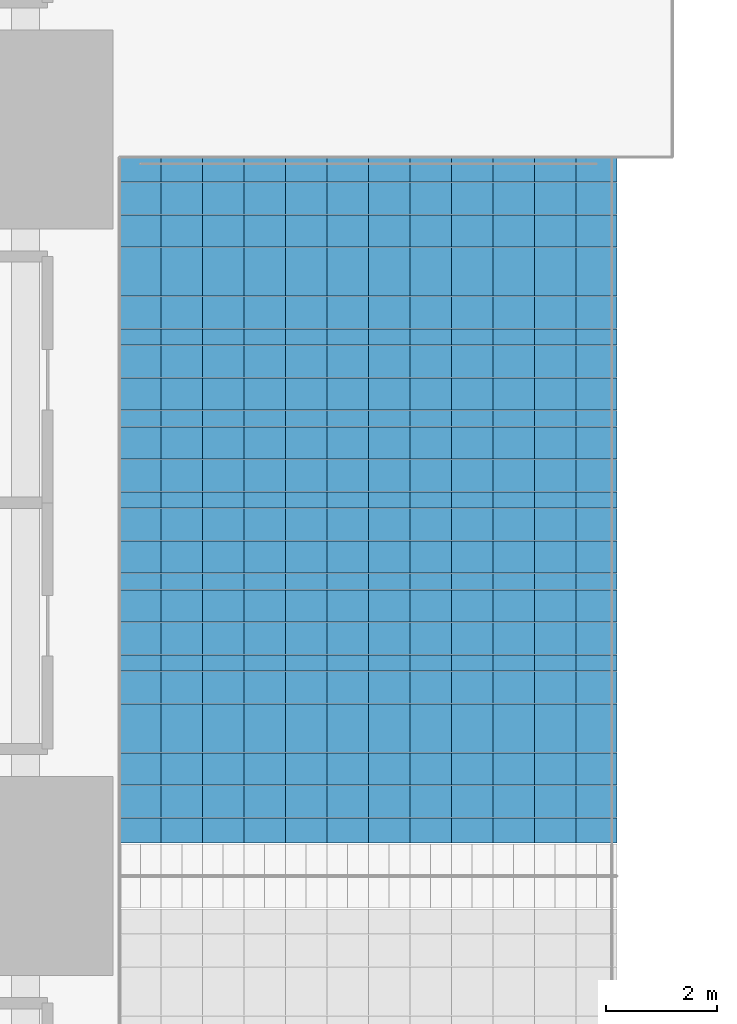
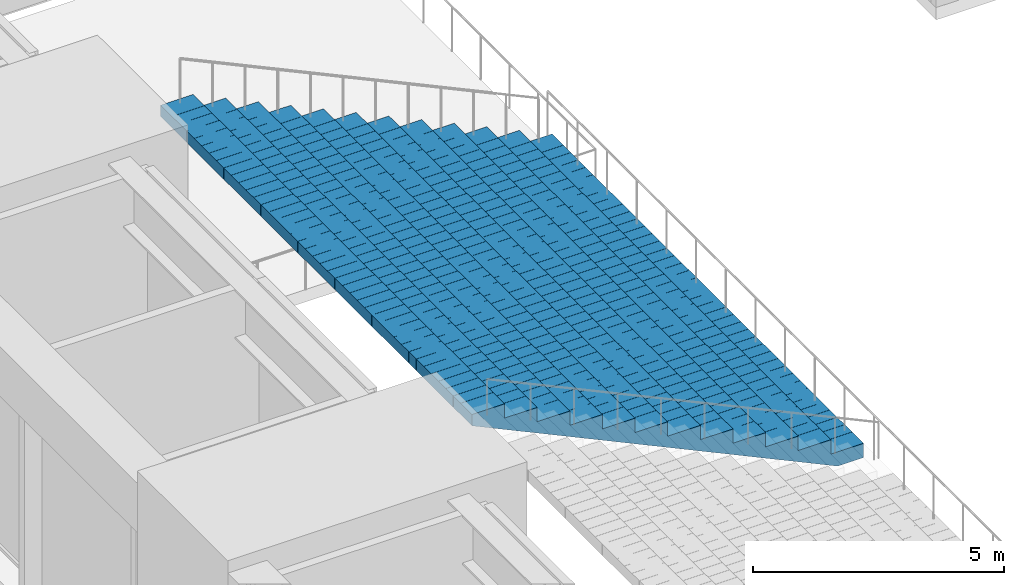
# One storey, part 19 of 61: 1 slab.
"""IFC4 building model written with IfcOpenShell, lengths in metres."""

from ifc_helpers import new_model, si_unit, direction, frame, origin, place, context, subcontext, project, spatial, polyline, outline, extrude, material, layer, layer_set, type_object, element, save


model = new_model("IFC4")

# Units and contexts
model_context = context("Model", 3, precision=1e-05, world=origin(), true_north=direction((0.0, 1.0)))
body_context = subcontext(model_context, "Body", "Model", "MODEL_VIEW")
ifc_project = project(units=[si_unit("LENGTHUNIT", "METRE"), si_unit("AREAUNIT", "SQUARE_METRE"), si_unit("VOLUMEUNIT", "CUBIC_METRE"), si_unit("PLANEANGLEUNIT", "RADIAN"), si_unit("MASSUNIT", "GRAM", prefix="KILO")], contexts=[model_context])

# Site, building, storey
site_placement = place(None, origin())
site = spatial("IfcSite", under=ifc_project, at=site_placement, CompositionType="ELEMENT")
building_placement = place(site_placement, origin())
building = spatial("IfcBuilding", under=site, at=building_placement, Name="Corbelhall Arena Tower", CompositionType="ELEMENT")
storey_placement = place(building_placement, frame((0.0, 0.0, 31.0)))
storey = spatial("IfcBuildingStorey", under=building, at=storey_placement, Name="L04", CompositionType="ELEMENT", Elevation=31.0)

# Slab
ifc_material = material(Name="Precast concrete C40/50", Category="concrete")
ifc_layer = layer(ifc_material, 0.25)
ifc_layer_set = layer_set([ifc_layer], Name="AR-TIER-RAKED")
slab_type = type_object("IfcSlabType", Name="AR-TIER-RAKED", PredefinedType="FLOOR", material=ifc_layer_set)
slab_placement = place(storey_placement, frame((-32.0, 6.800048828125, 1.449951171875), z_axis=(0.0, 0.0, 1.0), x_axis=(-1.0, 0.0, 0.0)))
element("IfcSlab", 1, at=slab_placement, inside=storey, type_object=slab_type, Name="Tier section UWA", PredefinedType="FLOOR", context=body_context, shape_type="SweptSolid", body=[
    extrude(outline(polyline([(0.0, 0.0), (0.0, 0.35009765625), (0.75, 0.35009765625), (0.75, 0.699951171875), (1.5, 0.699951171875), (1.5, 1.050048828125), (2.25, 1.050048828125), (2.25, 1.39990234375), (3.0, 1.39990234375), (3.0, 1.75), (3.75, 1.75), (3.75, 2.10009765625), (4.5, 2.10009765625), (4.5, 2.449951171875), (5.25, 2.449951171875), (5.25, 2.800048828125), (6.0, 2.800048828125), (6.0, 3.14990234375), (6.75, 3.14990234375), (6.75, 3.5), (7.5, 3.5), (7.5, 3.85009765625), (8.25, 3.85009765625), (8.25, 4.199951171875), (9.0, 4.199951171875), (9.0, 4.550048828125), (9.0, 3.924072265625), (0.591064453125, 0.0), (0.0, 0.0)])), frame((0.0, 6.199951171875, 0.0), z_axis=(0.0, -1.0, 0.0), x_axis=(1.0, 0.0, 0.0)), (0.0, 0.0, 1.0), 0.449951171875),
    extrude(outline(polyline([(0.0, 0.0), (0.0, 0.35009765625), (0.75, 0.35009765625), (0.75, 0.699951171875), (1.5, 0.699951171875), (1.5, 1.050048828125), (2.25, 1.050048828125), (2.25, 1.39990234375), (3.0, 1.39990234375), (3.0, 1.75), (3.75, 1.75), (3.75, 2.10009765625), (4.5, 2.10009765625), (4.5, 2.449951171875), (5.25, 2.449951171875), (5.25, 2.800048828125), (6.0, 2.800048828125), (6.0, 3.14990234375), (6.75, 3.14990234375), (6.75, 3.5), (7.5, 3.5), (7.5, 3.85009765625), (8.25, 3.85009765625), (8.25, 4.199951171875), (9.0, 4.199951171875), (9.0, 4.550048828125), (9.0, 3.924072265625), (0.591064453125, 0.0), (0.0, 0.0)])), frame((0.0, 5.745849609375, 0.0), z_axis=(0.0, -1.0, 0.0), x_axis=(1.0, 0.0, 0.0)), (0.0, 0.0, 1.0), 0.290771484375),
    extrude(outline(polyline([(0.0, 0.0), (0.0, 0.35009765625), (0.75, 0.35009765625), (0.75, 0.699951171875), (1.5, 0.699951171875), (1.5, 1.050048828125), (2.25, 1.050048828125), (2.25, 1.39990234375), (3.0, 1.39990234375), (3.0, 1.75), (3.75, 1.75), (3.75, 2.10009765625), (4.5, 2.10009765625), (4.5, 2.449951171875), (5.25, 2.449951171875), (5.25, 2.800048828125), (6.0, 2.800048828125), (6.0, 3.14990234375), (6.75, 3.14990234375), (6.75, 3.5), (7.5, 3.5), (7.5, 3.85009765625), (8.25, 3.85009765625), (8.25, 4.199951171875), (9.0, 4.199951171875), (9.0, 4.550048828125), (9.0, 3.924072265625), (0.591064453125, 0.0), (0.0, 0.0)])), frame((0.0, 5.451171875, 0.0), z_axis=(0.0, -1.0, 0.0), x_axis=(1.0, 0.0, 0.0)), (0.0, 0.0, 1.0), 0.290771484375),
    extrude(outline(polyline([(0.0, 0.0), (0.0, 0.35009765625), (0.75, 0.35009765625), (0.75, 0.699951171875), (1.5, 0.699951171875), (1.5, 1.050048828125), (2.25, 1.050048828125), (2.25, 1.39990234375), (3.0, 1.39990234375), (3.0, 1.75), (3.75, 1.75), (3.75, 2.10009765625), (4.5, 2.10009765625), (4.5, 2.449951171875), (5.25, 2.449951171875), (5.25, 2.800048828125), (6.0, 2.800048828125), (6.0, 3.14990234375), (6.75, 3.14990234375), (6.75, 3.5), (7.5, 3.5), (7.5, 3.85009765625), (8.25, 3.85009765625), (8.25, 4.199951171875), (9.0, 4.199951171875), (9.0, 4.550048828125), (9.0, 3.924072265625), (0.591064453125, 0.0), (0.0, 0.0)])), frame((0.0, 5.156494140625, 0.0), z_axis=(0.0, -1.0, 0.0), x_axis=(1.0, 0.0, 0.0)), (0.0, 0.0, 1.0), 0.290771484375),
    extrude(outline(polyline([(0.0, 0.0), (0.0, 0.35009765625), (0.75, 0.35009765625), (0.75, 0.699951171875), (1.5, 0.699951171875), (1.5, 1.050048828125), (2.25, 1.050048828125), (2.25, 1.39990234375), (3.0, 1.39990234375), (3.0, 1.75), (3.75, 1.75), (3.75, 2.10009765625), (4.5, 2.10009765625), (4.5, 2.449951171875), (5.25, 2.449951171875), (5.25, 2.800048828125), (6.0, 2.800048828125), (6.0, 3.14990234375), (6.75, 3.14990234375), (6.75, 3.5), (7.5, 3.5), (7.5, 3.85009765625), (8.25, 3.85009765625), (8.25, 4.199951171875), (9.0, 4.199951171875), (9.0, 4.550048828125), (9.0, 3.924072265625), (0.591064453125, 0.0), (0.0, 0.0)])), frame((0.0, 4.861572265625, 0.0), z_axis=(0.0, -1.0, 0.0), x_axis=(1.0, 0.0, 0.0)), (0.0, 0.0, 1.0), 0.290771484375),
    extrude(outline(polyline([(0.0, 0.0), (0.0, 0.35009765625), (0.75, 0.35009765625), (0.75, 0.699951171875), (1.5, 0.699951171875), (1.5, 1.050048828125), (2.25, 1.050048828125), (2.25, 1.39990234375), (3.0, 1.39990234375), (3.0, 1.75), (3.75, 1.75), (3.75, 2.10009765625), (4.5, 2.10009765625), (4.5, 2.449951171875), (5.25, 2.449951171875), (5.25, 2.800048828125), (6.0, 2.800048828125), (6.0, 3.14990234375), (6.75, 3.14990234375), (6.75, 3.5), (7.5, 3.5), (7.5, 3.85009765625), (8.25, 3.85009765625), (8.25, 4.199951171875), (9.0, 4.199951171875), (9.0, 4.550048828125), (9.0, 3.924072265625), (0.591064453125, 0.0), (0.0, 0.0)])), frame((0.0, 4.56689453125, 0.0), z_axis=(0.0, -1.0, 0.0), x_axis=(1.0, 0.0, 0.0)), (0.0, 0.0, 1.0), 0.290771484375),
    extrude(outline(polyline([(0.0, 0.0), (0.0, 0.35009765625), (0.75, 0.35009765625), (0.75, 0.699951171875), (1.5, 0.699951171875), (1.5, 1.050048828125), (2.25, 1.050048828125), (2.25, 1.39990234375), (3.0, 1.39990234375), (3.0, 1.75), (3.75, 1.75), (3.75, 2.10009765625), (4.5, 2.10009765625), (4.5, 2.449951171875), (5.25, 2.449951171875), (5.25, 2.800048828125), (6.0, 2.800048828125), (6.0, 3.14990234375), (6.75, 3.14990234375), (6.75, 3.5), (7.5, 3.5), (7.5, 3.85009765625), (8.25, 3.85009765625), (8.25, 4.199951171875), (9.0, 4.199951171875), (9.0, 4.550048828125), (9.0, 3.924072265625), (0.591064453125, 0.0), (0.0, 0.0)])), frame((0.0, 4.272216796875, 0.0), z_axis=(0.0, -1.0, 0.0), x_axis=(1.0, 0.0, 0.0)), (0.0, 0.0, 1.0), 0.290771484375),
    extrude(outline(polyline([(0.0, 0.0), (0.0, 0.35009765625), (0.75, 0.35009765625), (0.75, 0.699951171875), (1.5, 0.699951171875), (1.5, 1.050048828125), (2.25, 1.050048828125), (2.25, 1.39990234375), (3.0, 1.39990234375), (3.0, 1.75), (3.75, 1.75), (3.75, 2.10009765625), (4.5, 2.10009765625), (4.5, 2.449951171875), (5.25, 2.449951171875), (5.25, 2.800048828125), (6.0, 2.800048828125), (6.0, 3.14990234375), (6.75, 3.14990234375), (6.75, 3.5), (7.5, 3.5), (7.5, 3.85009765625), (8.25, 3.85009765625), (8.25, 4.199951171875), (9.0, 4.199951171875), (9.0, 4.550048828125), (9.0, 3.924072265625), (0.591064453125, 0.0), (0.0, 0.0)])), frame((0.0, 3.977294921875, 0.0), z_axis=(0.0, -1.0, 0.0), x_axis=(1.0, 0.0, 0.0)), (0.0, 0.0, 1.0), 0.290771484375),
    extrude(outline(polyline([(0.0, 0.0), (0.0, 0.35009765625), (0.75, 0.35009765625), (0.75, 0.699951171875), (1.5, 0.699951171875), (1.5, 1.050048828125), (2.25, 1.050048828125), (2.25, 1.39990234375), (3.0, 1.39990234375), (3.0, 1.75), (3.75, 1.75), (3.75, 2.10009765625), (4.5, 2.10009765625), (4.5, 2.449951171875), (5.25, 2.449951171875), (5.25, 2.800048828125), (6.0, 2.800048828125), (6.0, 3.14990234375), (6.75, 3.14990234375), (6.75, 3.5), (7.5, 3.5), (7.5, 3.85009765625), (8.25, 3.85009765625), (8.25, 4.199951171875), (9.0, 4.199951171875), (9.0, 4.550048828125), (9.0, 3.924072265625), (0.591064453125, 0.0), (0.0, 0.0)])), frame((0.0, 3.6826171875, 0.0), z_axis=(0.0, -1.0, 0.0), x_axis=(1.0, 0.0, 0.0)), (0.0, 0.0, 1.0), 0.290771484375),
    extrude(outline(polyline([(0.0, 0.0), (0.0, 0.35009765625), (0.75, 0.35009765625), (0.75, 0.699951171875), (1.5, 0.699951171875), (1.5, 1.050048828125), (2.25, 1.050048828125), (2.25, 1.39990234375), (3.0, 1.39990234375), (3.0, 1.75), (3.75, 1.75), (3.75, 2.10009765625), (4.5, 2.10009765625), (4.5, 2.449951171875), (5.25, 2.449951171875), (5.25, 2.800048828125), (6.0, 2.800048828125), (6.0, 3.14990234375), (6.75, 3.14990234375), (6.75, 3.5), (7.5, 3.5), (7.5, 3.85009765625), (8.25, 3.85009765625), (8.25, 4.199951171875), (9.0, 4.199951171875), (9.0, 4.550048828125), (9.0, 3.924072265625), (0.591064453125, 0.0), (0.0, 0.0)])), frame((0.0, 3.3876953125, 0.0), z_axis=(0.0, -1.0, 0.0), x_axis=(1.0, 0.0, 0.0)), (0.0, 0.0, 1.0), 0.290771484375),
    extrude(outline(polyline([(0.0, 0.0), (0.0, 0.35009765625), (0.75, 0.35009765625), (0.75, 0.699951171875), (1.5, 0.699951171875), (1.5, 1.050048828125), (2.25, 1.050048828125), (2.25, 1.39990234375), (3.0, 1.39990234375), (3.0, 1.75), (3.75, 1.75), (3.75, 2.10009765625), (4.5, 2.10009765625), (4.5, 2.449951171875), (5.25, 2.449951171875), (5.25, 2.800048828125), (6.0, 2.800048828125), (6.0, 3.14990234375), (6.75, 3.14990234375), (6.75, 3.5), (7.5, 3.5), (7.5, 3.85009765625), (8.25, 3.85009765625), (8.25, 4.199951171875), (9.0, 4.199951171875), (9.0, 4.550048828125), (9.0, 3.924072265625), (0.591064453125, 0.0), (0.0, 0.0)])), frame((0.0, 3.093017578125, 0.0), z_axis=(0.0, -1.0, 0.0), x_axis=(1.0, 0.0, 0.0)), (0.0, 0.0, 1.0), 0.290771484375),
    extrude(outline(polyline([(0.0, 0.0), (0.0, 0.35009765625), (0.75, 0.35009765625), (0.75, 0.699951171875), (1.5, 0.699951171875), (1.5, 1.050048828125), (2.25, 1.050048828125), (2.25, 1.39990234375), (3.0, 1.39990234375), (3.0, 1.75), (3.75, 1.75), (3.75, 2.10009765625), (4.5, 2.10009765625), (4.5, 2.449951171875), (5.25, 2.449951171875), (5.25, 2.800048828125), (6.0, 2.800048828125), (6.0, 3.14990234375), (6.75, 3.14990234375), (6.75, 3.5), (7.5, 3.5), (7.5, 3.85009765625), (8.25, 3.85009765625), (8.25, 4.199951171875), (9.0, 4.199951171875), (9.0, 4.550048828125), (9.0, 3.924072265625), (0.591064453125, 0.0), (0.0, 0.0)])), frame((0.0, 2.79833984375, 0.0), z_axis=(0.0, -1.0, 0.0), x_axis=(1.0, 0.0, 0.0)), (0.0, 0.0, 1.0), 0.290771484375),
    extrude(outline(polyline([(0.0, 0.0), (0.0, 0.35009765625), (0.75, 0.35009765625), (0.75, 0.699951171875), (1.5, 0.699951171875), (1.5, 1.050048828125), (2.25, 1.050048828125), (2.25, 1.39990234375), (3.0, 1.39990234375), (3.0, 1.75), (3.75, 1.75), (3.75, 2.10009765625), (4.5, 2.10009765625), (4.5, 2.449951171875), (5.25, 2.449951171875), (5.25, 2.800048828125), (6.0, 2.800048828125), (6.0, 3.14990234375), (6.75, 3.14990234375), (6.75, 3.5), (7.5, 3.5), (7.5, 3.85009765625), (8.25, 3.85009765625), (8.25, 4.199951171875), (9.0, 4.199951171875), (9.0, 4.550048828125), (9.0, 3.924072265625), (0.591064453125, 0.0), (0.0, 0.0)])), frame((0.0, 2.50341796875, 0.0), z_axis=(0.0, -1.0, 0.0), x_axis=(1.0, 0.0, 0.0)), (0.0, 0.0, 1.0), 0.290771484375),
    extrude(outline(polyline([(0.0, 0.0), (0.0, 0.35009765625), (0.75, 0.35009765625), (0.75, 0.699951171875), (1.5, 0.699951171875), (1.5, 1.050048828125), (2.25, 1.050048828125), (2.25, 1.39990234375), (3.0, 1.39990234375), (3.0, 1.75), (3.75, 1.75), (3.75, 2.10009765625), (4.5, 2.10009765625), (4.5, 2.449951171875), (5.25, 2.449951171875), (5.25, 2.800048828125), (6.0, 2.800048828125), (6.0, 3.14990234375), (6.75, 3.14990234375), (6.75, 3.5), (7.5, 3.5), (7.5, 3.85009765625), (8.25, 3.85009765625), (8.25, 4.199951171875), (9.0, 4.199951171875), (9.0, 4.550048828125), (9.0, 3.924072265625), (0.591064453125, 0.0), (0.0, 0.0)])), frame((0.0, 2.208740234375, 0.0), z_axis=(0.0, -1.0, 0.0), x_axis=(1.0, 0.0, 0.0)), (0.0, 0.0, 1.0), 0.290771484375),
    extrude(outline(polyline([(0.0, 0.0), (0.0, 0.35009765625), (0.75, 0.35009765625), (0.75, 0.699951171875), (1.5, 0.699951171875), (1.5, 1.050048828125), (2.25, 1.050048828125), (2.25, 1.39990234375), (3.0, 1.39990234375), (3.0, 1.75), (3.75, 1.75), (3.75, 2.10009765625), (4.5, 2.10009765625), (4.5, 2.449951171875), (5.25, 2.449951171875), (5.25, 2.800048828125), (6.0, 2.800048828125), (6.0, 3.14990234375), (6.75, 3.14990234375), (6.75, 3.5), (7.5, 3.5), (7.5, 3.85009765625), (8.25, 3.85009765625), (8.25, 4.199951171875), (9.0, 4.199951171875), (9.0, 4.550048828125), (9.0, 3.924072265625), (0.591064453125, 0.0), (0.0, 0.0)])), frame((0.0, 1.9140625, 0.0), z_axis=(0.0, -1.0, 0.0), x_axis=(1.0, 0.0, 0.0)), (0.0, 0.0, 1.0), 0.290771484375),
    extrude(outline(polyline([(0.0, 0.0), (0.0, 0.35009765625), (0.75, 0.35009765625), (0.75, 0.699951171875), (1.5, 0.699951171875), (1.5, 1.050048828125), (2.25, 1.050048828125), (2.25, 1.39990234375), (3.0, 1.39990234375), (3.0, 1.75), (3.75, 1.75), (3.75, 2.10009765625), (4.5, 2.10009765625), (4.5, 2.449951171875), (5.25, 2.449951171875), (5.25, 2.800048828125), (6.0, 2.800048828125), (6.0, 3.14990234375), (6.75, 3.14990234375), (6.75, 3.5), (7.5, 3.5), (7.5, 3.85009765625), (8.25, 3.85009765625), (8.25, 4.199951171875), (9.0, 4.199951171875), (9.0, 4.550048828125), (9.0, 3.924072265625), (0.591064453125, 0.0), (0.0, 0.0)])), frame((0.0, 1.619140625, 0.0), z_axis=(0.0, -1.0, 0.0), x_axis=(1.0, 0.0, 0.0)), (0.0, 0.0, 1.0), 0.290771484375),
    extrude(outline(polyline([(0.0, 0.0), (0.0, 0.35009765625), (0.75, 0.35009765625), (0.75, 0.699951171875), (1.5, 0.699951171875), (1.5, 1.050048828125), (2.25, 1.050048828125), (2.25, 1.39990234375), (3.0, 1.39990234375), (3.0, 1.75), (3.75, 1.75), (3.75, 2.10009765625), (4.5, 2.10009765625), (4.5, 2.449951171875), (5.25, 2.449951171875), (5.25, 2.800048828125), (6.0, 2.800048828125), (6.0, 3.14990234375), (6.75, 3.14990234375), (6.75, 3.5), (7.5, 3.5), (7.5, 3.85009765625), (8.25, 3.85009765625), (8.25, 4.199951171875), (9.0, 4.199951171875), (9.0, 4.550048828125), (9.0, 3.924072265625), (0.591064453125, 0.0), (0.0, 0.0)])), frame((0.0, 1.324462890625, 0.0), z_axis=(0.0, -1.0, 0.0), x_axis=(1.0, 0.0, 0.0)), (0.0, 0.0, 1.0), 0.290771484375),
    extrude(outline(polyline([(0.0, 0.0), (0.0, 0.35009765625), (0.75, 0.35009765625), (0.75, 0.699951171875), (1.5, 0.699951171875), (1.5, 1.050048828125), (2.25, 1.050048828125), (2.25, 1.39990234375), (3.0, 1.39990234375), (3.0, 1.75), (3.75, 1.75), (3.75, 2.10009765625), (4.5, 2.10009765625), (4.5, 2.449951171875), (5.25, 2.449951171875), (5.25, 2.800048828125), (6.0, 2.800048828125), (6.0, 3.14990234375), (6.75, 3.14990234375), (6.75, 3.5), (7.5, 3.5), (7.5, 3.85009765625), (8.25, 3.85009765625), (8.25, 4.199951171875), (9.0, 4.199951171875), (9.0, 4.550048828125), (9.0, 3.924072265625), (0.591064453125, 0.0), (0.0, 0.0)])), frame((0.0, 1.02978515625, 0.0), z_axis=(0.0, -1.0, 0.0), x_axis=(1.0, 0.0, 0.0)), (0.0, 0.0, 1.0), 0.290771484375),
    extrude(outline(polyline([(0.0, 0.0), (0.0, 0.35009765625), (0.75, 0.35009765625), (0.75, 0.699951171875), (1.5, 0.699951171875), (1.5, 1.050048828125), (2.25, 1.050048828125), (2.25, 1.39990234375), (3.0, 1.39990234375), (3.0, 1.75), (3.75, 1.75), (3.75, 2.10009765625), (4.5, 2.10009765625), (4.5, 2.449951171875), (5.25, 2.449951171875), (5.25, 2.800048828125), (6.0, 2.800048828125), (6.0, 3.14990234375), (6.75, 3.14990234375), (6.75, 3.5), (7.5, 3.5), (7.5, 3.85009765625), (8.25, 3.85009765625), (8.25, 4.199951171875), (9.0, 4.199951171875), (9.0, 4.550048828125), (9.0, 3.924072265625), (0.591064453125, 0.0), (0.0, 0.0)])), frame((0.0, 0.73486328125, 0.0), z_axis=(0.0, -1.0, 0.0), x_axis=(1.0, 0.0, 0.0)), (0.0, 0.0, 1.0), 0.290771484375),
    extrude(outline(polyline([(0.0, 0.0), (0.0, 0.35009765625), (0.75, 0.35009765625), (0.75, 0.699951171875), (1.5, 0.699951171875), (1.5, 1.050048828125), (2.25, 1.050048828125), (2.25, 1.39990234375), (3.0, 1.39990234375), (3.0, 1.75), (3.75, 1.75), (3.75, 2.10009765625), (4.5, 2.10009765625), (4.5, 2.449951171875), (5.25, 2.449951171875), (5.25, 2.800048828125), (6.0, 2.800048828125), (6.0, 3.14990234375), (6.75, 3.14990234375), (6.75, 3.5), (7.5, 3.5), (7.5, 3.85009765625), (8.25, 3.85009765625), (8.25, 4.199951171875), (9.0, 4.199951171875), (9.0, 4.550048828125), (9.0, 3.924072265625), (0.591064453125, 0.0), (0.0, 0.0)])), frame((0.0, 0.440185546875, 0.0), z_axis=(0.0, -1.0, 0.0), x_axis=(1.0, 0.0, 0.0)), (0.0, 0.0, 1.0), 0.290771484375),
    extrude(outline(polyline([(0.0, 0.0), (0.0, 0.35009765625), (0.75, 0.35009765625), (0.75, 0.699951171875), (1.5, 0.699951171875), (1.5, 1.050048828125), (2.25, 1.050048828125), (2.25, 1.39990234375), (3.0, 1.39990234375), (3.0, 1.75), (3.75, 1.75), (3.75, 2.10009765625), (4.5, 2.10009765625), (4.5, 2.449951171875), (5.25, 2.449951171875), (5.25, 2.800048828125), (6.0, 2.800048828125), (6.0, 3.14990234375), (6.75, 3.14990234375), (6.75, 3.5), (7.5, 3.5), (7.5, 3.85009765625), (8.25, 3.85009765625), (8.25, 4.199951171875), (9.0, 4.199951171875), (9.0, 4.550048828125), (9.0, 3.924072265625), (0.591064453125, 0.0), (0.0, 0.0)])), frame((0.0, 0.145263671875, 0.0), z_axis=(0.0, -1.0, 0.0), x_axis=(1.0, 0.0, 0.0)), (0.0, 0.0, 1.0), 0.290771484375),
    extrude(outline(polyline([(0.0, 0.0), (0.0, 0.35009765625), (0.75, 0.35009765625), (0.75, 0.699951171875), (1.5, 0.699951171875), (1.5, 1.050048828125), (2.25, 1.050048828125), (2.25, 1.39990234375), (3.0, 1.39990234375), (3.0, 1.75), (3.75, 1.75), (3.75, 2.10009765625), (4.5, 2.10009765625), (4.5, 2.449951171875), (5.25, 2.449951171875), (5.25, 2.800048828125), (6.0, 2.800048828125), (6.0, 3.14990234375), (6.75, 3.14990234375), (6.75, 3.5), (7.5, 3.5), (7.5, 3.85009765625), (8.25, 3.85009765625), (8.25, 4.199951171875), (9.0, 4.199951171875), (9.0, 4.550048828125), (9.0, 3.924072265625), (0.591064453125, 0.0), (0.0, 0.0)])), frame((0.0, -0.1494140625, 0.0), z_axis=(0.0, -1.0, 0.0), x_axis=(1.0, 0.0, 0.0)), (0.0, 0.0, 1.0), 0.290771484375),
    extrude(outline(polyline([(0.0, 0.0), (0.0, 0.35009765625), (0.75, 0.35009765625), (0.75, 0.699951171875), (1.5, 0.699951171875), (1.5, 1.050048828125), (2.25, 1.050048828125), (2.25, 1.39990234375), (3.0, 1.39990234375), (3.0, 1.75), (3.75, 1.75), (3.75, 2.10009765625), (4.5, 2.10009765625), (4.5, 2.449951171875), (5.25, 2.449951171875), (5.25, 2.800048828125), (6.0, 2.800048828125), (6.0, 3.14990234375), (6.75, 3.14990234375), (6.75, 3.5), (7.5, 3.5), (7.5, 3.85009765625), (8.25, 3.85009765625), (8.25, 4.199951171875), (9.0, 4.199951171875), (9.0, 4.550048828125), (9.0, 3.924072265625), (0.591064453125, 0.0), (0.0, 0.0)])), frame((0.0, -0.444091796875, 0.0), z_axis=(0.0, -1.0, 0.0), x_axis=(1.0, 0.0, 0.0)), (0.0, 0.0, 1.0), 0.290771484375),
    extrude(outline(polyline([(0.0, 0.0), (0.0, 0.35009765625), (0.75, 0.35009765625), (0.75, 0.699951171875), (1.5, 0.699951171875), (1.5, 1.050048828125), (2.25, 1.050048828125), (2.25, 1.39990234375), (3.0, 1.39990234375), (3.0, 1.75), (3.75, 1.75), (3.75, 2.10009765625), (4.5, 2.10009765625), (4.5, 2.449951171875), (5.25, 2.449951171875), (5.25, 2.800048828125), (6.0, 2.800048828125), (6.0, 3.14990234375), (6.75, 3.14990234375), (6.75, 3.5), (7.5, 3.5), (7.5, 3.85009765625), (8.25, 3.85009765625), (8.25, 4.199951171875), (9.0, 4.199951171875), (9.0, 4.550048828125), (9.0, 3.924072265625), (0.591064453125, 0.0), (0.0, 0.0)])), frame((0.0, -0.739013671875, 0.0), z_axis=(0.0, -1.0, 0.0), x_axis=(1.0, 0.0, 0.0)), (0.0, 0.0, 1.0), 0.290771484375),
    extrude(outline(polyline([(0.0, 0.0), (0.0, 0.35009765625), (0.75, 0.35009765625), (0.75, 0.699951171875), (1.5, 0.699951171875), (1.5, 1.050048828125), (2.25, 1.050048828125), (2.25, 1.39990234375), (3.0, 1.39990234375), (3.0, 1.75), (3.75, 1.75), (3.75, 2.10009765625), (4.5, 2.10009765625), (4.5, 2.449951171875), (5.25, 2.449951171875), (5.25, 2.800048828125), (6.0, 2.800048828125), (6.0, 3.14990234375), (6.75, 3.14990234375), (6.75, 3.5), (7.5, 3.5), (7.5, 3.85009765625), (8.25, 3.85009765625), (8.25, 4.199951171875), (9.0, 4.199951171875), (9.0, 4.550048828125), (9.0, 3.924072265625), (0.591064453125, 0.0), (0.0, 0.0)])), frame((0.0, -1.03369140625, 0.0), z_axis=(0.0, -1.0, 0.0), x_axis=(1.0, 0.0, 0.0)), (0.0, 0.0, 1.0), 0.290771484375),
    extrude(outline(polyline([(0.0, 0.0), (0.0, 0.35009765625), (0.75, 0.35009765625), (0.75, 0.699951171875), (1.5, 0.699951171875), (1.5, 1.050048828125), (2.25, 1.050048828125), (2.25, 1.39990234375), (3.0, 1.39990234375), (3.0, 1.75), (3.75, 1.75), (3.75, 2.10009765625), (4.5, 2.10009765625), (4.5, 2.449951171875), (5.25, 2.449951171875), (5.25, 2.800048828125), (6.0, 2.800048828125), (6.0, 3.14990234375), (6.75, 3.14990234375), (6.75, 3.5), (7.5, 3.5), (7.5, 3.85009765625), (8.25, 3.85009765625), (8.25, 4.199951171875), (9.0, 4.199951171875), (9.0, 4.550048828125), (9.0, 3.924072265625), (0.591064453125, 0.0), (0.0, 0.0)])), frame((0.0, -1.328369140625, 0.0), z_axis=(0.0, -1.0, 0.0), x_axis=(1.0, 0.0, 0.0)), (0.0, 0.0, 1.0), 0.290771484375),
    extrude(outline(polyline([(0.0, 0.0), (0.0, 0.35009765625), (0.75, 0.35009765625), (0.75, 0.699951171875), (1.5, 0.699951171875), (1.5, 1.050048828125), (2.25, 1.050048828125), (2.25, 1.39990234375), (3.0, 1.39990234375), (3.0, 1.75), (3.75, 1.75), (3.75, 2.10009765625), (4.5, 2.10009765625), (4.5, 2.449951171875), (5.25, 2.449951171875), (5.25, 2.800048828125), (6.0, 2.800048828125), (6.0, 3.14990234375), (6.75, 3.14990234375), (6.75, 3.5), (7.5, 3.5), (7.5, 3.85009765625), (8.25, 3.85009765625), (8.25, 4.199951171875), (9.0, 4.199951171875), (9.0, 4.550048828125), (9.0, 3.924072265625), (0.591064453125, 0.0), (0.0, 0.0)])), frame((0.0, -1.623291015625, 0.0), z_axis=(0.0, -1.0, 0.0), x_axis=(1.0, 0.0, 0.0)), (0.0, 0.0, 1.0), 0.290771484375),
    extrude(outline(polyline([(0.0, 0.0), (0.0, 0.35009765625), (0.75, 0.35009765625), (0.75, 0.699951171875), (1.5, 0.699951171875), (1.5, 1.050048828125), (2.25, 1.050048828125), (2.25, 1.39990234375), (3.0, 1.39990234375), (3.0, 1.75), (3.75, 1.75), (3.75, 2.10009765625), (4.5, 2.10009765625), (4.5, 2.449951171875), (5.25, 2.449951171875), (5.25, 2.800048828125), (6.0, 2.800048828125), (6.0, 3.14990234375), (6.75, 3.14990234375), (6.75, 3.5), (7.5, 3.5), (7.5, 3.85009765625), (8.25, 3.85009765625), (8.25, 4.199951171875), (9.0, 4.199951171875), (9.0, 4.550048828125), (9.0, 3.924072265625), (0.591064453125, 0.0), (0.0, 0.0)])), frame((0.0, -1.91796875, 0.0), z_axis=(0.0, -1.0, 0.0), x_axis=(1.0, 0.0, 0.0)), (0.0, 0.0, 1.0), 0.290771484375),
    extrude(outline(polyline([(0.0, 0.0), (0.0, 0.35009765625), (0.75, 0.35009765625), (0.75, 0.699951171875), (1.5, 0.699951171875), (1.5, 1.050048828125), (2.25, 1.050048828125), (2.25, 1.39990234375), (3.0, 1.39990234375), (3.0, 1.75), (3.75, 1.75), (3.75, 2.10009765625), (4.5, 2.10009765625), (4.5, 2.449951171875), (5.25, 2.449951171875), (5.25, 2.800048828125), (6.0, 2.800048828125), (6.0, 3.14990234375), (6.75, 3.14990234375), (6.75, 3.5), (7.5, 3.5), (7.5, 3.85009765625), (8.25, 3.85009765625), (8.25, 4.199951171875), (9.0, 4.199951171875), (9.0, 4.550048828125), (9.0, 3.924072265625), (0.591064453125, 0.0), (0.0, 0.0)])), frame((0.0, -2.212646484375, 0.0), z_axis=(0.0, -1.0, 0.0), x_axis=(1.0, 0.0, 0.0)), (0.0, 0.0, 1.0), 0.290771484375),
    extrude(outline(polyline([(0.0, 0.0), (0.0, 0.35009765625), (0.75, 0.35009765625), (0.75, 0.699951171875), (1.5, 0.699951171875), (1.5, 1.050048828125), (2.25, 1.050048828125), (2.25, 1.39990234375), (3.0, 1.39990234375), (3.0, 1.75), (3.75, 1.75), (3.75, 2.10009765625), (4.5, 2.10009765625), (4.5, 2.449951171875), (5.25, 2.449951171875), (5.25, 2.800048828125), (6.0, 2.800048828125), (6.0, 3.14990234375), (6.75, 3.14990234375), (6.75, 3.5), (7.5, 3.5), (7.5, 3.85009765625), (8.25, 3.85009765625), (8.25, 4.199951171875), (9.0, 4.199951171875), (9.0, 4.550048828125), (9.0, 3.924072265625), (0.591064453125, 0.0), (0.0, 0.0)])), frame((0.0, -2.507568359375, 0.0), z_axis=(0.0, -1.0, 0.0), x_axis=(1.0, 0.0, 0.0)), (0.0, 0.0, 1.0), 0.290771484375),
    extrude(outline(polyline([(0.0, 0.0), (0.0, 0.35009765625), (0.75, 0.35009765625), (0.75, 0.699951171875), (1.5, 0.699951171875), (1.5, 1.050048828125), (2.25, 1.050048828125), (2.25, 1.39990234375), (3.0, 1.39990234375), (3.0, 1.75), (3.75, 1.75), (3.75, 2.10009765625), (4.5, 2.10009765625), (4.5, 2.449951171875), (5.25, 2.449951171875), (5.25, 2.800048828125), (6.0, 2.800048828125), (6.0, 3.14990234375), (6.75, 3.14990234375), (6.75, 3.5), (7.5, 3.5), (7.5, 3.85009765625), (8.25, 3.85009765625), (8.25, 4.199951171875), (9.0, 4.199951171875), (9.0, 4.550048828125), (9.0, 3.924072265625), (0.591064453125, 0.0), (0.0, 0.0)])), frame((0.0, -2.80224609375, 0.0), z_axis=(0.0, -1.0, 0.0), x_axis=(1.0, 0.0, 0.0)), (0.0, 0.0, 1.0), 0.290771484375),
    extrude(outline(polyline([(0.0, 0.0), (0.0, 0.35009765625), (0.75, 0.35009765625), (0.75, 0.699951171875), (1.5, 0.699951171875), (1.5, 1.050048828125), (2.25, 1.050048828125), (2.25, 1.39990234375), (3.0, 1.39990234375), (3.0, 1.75), (3.75, 1.75), (3.75, 2.10009765625), (4.5, 2.10009765625), (4.5, 2.449951171875), (5.25, 2.449951171875), (5.25, 2.800048828125), (6.0, 2.800048828125), (6.0, 3.14990234375), (6.75, 3.14990234375), (6.75, 3.5), (7.5, 3.5), (7.5, 3.85009765625), (8.25, 3.85009765625), (8.25, 4.199951171875), (9.0, 4.199951171875), (9.0, 4.550048828125), (9.0, 3.924072265625), (0.591064453125, 0.0), (0.0, 0.0)])), frame((0.0, -3.09716796875, 0.0), z_axis=(0.0, -1.0, 0.0), x_axis=(1.0, 0.0, 0.0)), (0.0, 0.0, 1.0), 0.290771484375),
    extrude(outline(polyline([(0.0, 0.0), (0.0, 0.35009765625), (0.75, 0.35009765625), (0.75, 0.699951171875), (1.5, 0.699951171875), (1.5, 1.050048828125), (2.25, 1.050048828125), (2.25, 1.39990234375), (3.0, 1.39990234375), (3.0, 1.75), (3.75, 1.75), (3.75, 2.10009765625), (4.5, 2.10009765625), (4.5, 2.449951171875), (5.25, 2.449951171875), (5.25, 2.800048828125), (6.0, 2.800048828125), (6.0, 3.14990234375), (6.75, 3.14990234375), (6.75, 3.5), (7.5, 3.5), (7.5, 3.85009765625), (8.25, 3.85009765625), (8.25, 4.199951171875), (9.0, 4.199951171875), (9.0, 4.550048828125), (9.0, 3.924072265625), (0.591064453125, 0.0), (0.0, 0.0)])), frame((0.0, -3.391845703125, 0.0), z_axis=(0.0, -1.0, 0.0), x_axis=(1.0, 0.0, 0.0)), (0.0, 0.0, 1.0), 0.290771484375),
    extrude(outline(polyline([(0.0, 0.0), (0.0, 0.35009765625), (0.75, 0.35009765625), (0.75, 0.699951171875), (1.5, 0.699951171875), (1.5, 1.050048828125), (2.25, 1.050048828125), (2.25, 1.39990234375), (3.0, 1.39990234375), (3.0, 1.75), (3.75, 1.75), (3.75, 2.10009765625), (4.5, 2.10009765625), (4.5, 2.449951171875), (5.25, 2.449951171875), (5.25, 2.800048828125), (6.0, 2.800048828125), (6.0, 3.14990234375), (6.75, 3.14990234375), (6.75, 3.5), (7.5, 3.5), (7.5, 3.85009765625), (8.25, 3.85009765625), (8.25, 4.199951171875), (9.0, 4.199951171875), (9.0, 4.550048828125), (9.0, 3.924072265625), (0.591064453125, 0.0), (0.0, 0.0)])), frame((0.0, -3.6865234375, 0.0), z_axis=(0.0, -1.0, 0.0), x_axis=(1.0, 0.0, 0.0)), (0.0, 0.0, 1.0), 0.290771484375),
    extrude(outline(polyline([(0.0, 0.0), (0.0, 0.35009765625), (0.75, 0.35009765625), (0.75, 0.699951171875), (1.5, 0.699951171875), (1.5, 1.050048828125), (2.25, 1.050048828125), (2.25, 1.39990234375), (3.0, 1.39990234375), (3.0, 1.75), (3.75, 1.75), (3.75, 2.10009765625), (4.5, 2.10009765625), (4.5, 2.449951171875), (5.25, 2.449951171875), (5.25, 2.800048828125), (6.0, 2.800048828125), (6.0, 3.14990234375), (6.75, 3.14990234375), (6.75, 3.5), (7.5, 3.5), (7.5, 3.85009765625), (8.25, 3.85009765625), (8.25, 4.199951171875), (9.0, 4.199951171875), (9.0, 4.550048828125), (9.0, 3.924072265625), (0.591064453125, 0.0), (0.0, 0.0)])), frame((0.0, -3.9814453125, 0.0), z_axis=(0.0, -1.0, 0.0), x_axis=(1.0, 0.0, 0.0)), (0.0, 0.0, 1.0), 0.290771484375),
    extrude(outline(polyline([(0.0, 0.0), (0.0, 0.35009765625), (0.75, 0.35009765625), (0.75, 0.699951171875), (1.5, 0.699951171875), (1.5, 1.050048828125), (2.25, 1.050048828125), (2.25, 1.39990234375), (3.0, 1.39990234375), (3.0, 1.75), (3.75, 1.75), (3.75, 2.10009765625), (4.5, 2.10009765625), (4.5, 2.449951171875), (5.25, 2.449951171875), (5.25, 2.800048828125), (6.0, 2.800048828125), (6.0, 3.14990234375), (6.75, 3.14990234375), (6.75, 3.5), (7.5, 3.5), (7.5, 3.85009765625), (8.25, 3.85009765625), (8.25, 4.199951171875), (9.0, 4.199951171875), (9.0, 4.550048828125), (9.0, 3.924072265625), (0.591064453125, 0.0), (0.0, 0.0)])), frame((0.0, -4.276123046875, 0.0), z_axis=(0.0, -1.0, 0.0), x_axis=(1.0, 0.0, 0.0)), (0.0, 0.0, 1.0), 0.290771484375),
    extrude(outline(polyline([(0.0, 0.0), (0.0, 0.35009765625), (0.75, 0.35009765625), (0.75, 0.699951171875), (1.5, 0.699951171875), (1.5, 1.050048828125), (2.25, 1.050048828125), (2.25, 1.39990234375), (3.0, 1.39990234375), (3.0, 1.75), (3.75, 1.75), (3.75, 2.10009765625), (4.5, 2.10009765625), (4.5, 2.449951171875), (5.25, 2.449951171875), (5.25, 2.800048828125), (6.0, 2.800048828125), (6.0, 3.14990234375), (6.75, 3.14990234375), (6.75, 3.5), (7.5, 3.5), (7.5, 3.85009765625), (8.25, 3.85009765625), (8.25, 4.199951171875), (9.0, 4.199951171875), (9.0, 4.550048828125), (9.0, 3.924072265625), (0.591064453125, 0.0), (0.0, 0.0)])), frame((0.0, -4.57080078125, 0.0), z_axis=(0.0, -1.0, 0.0), x_axis=(1.0, 0.0, 0.0)), (0.0, 0.0, 1.0), 0.290771484375),
    extrude(outline(polyline([(0.0, 0.0), (0.0, 0.35009765625), (0.75, 0.35009765625), (0.75, 0.699951171875), (1.5, 0.699951171875), (1.5, 1.050048828125), (2.25, 1.050048828125), (2.25, 1.39990234375), (3.0, 1.39990234375), (3.0, 1.75), (3.75, 1.75), (3.75, 2.10009765625), (4.5, 2.10009765625), (4.5, 2.449951171875), (5.25, 2.449951171875), (5.25, 2.800048828125), (6.0, 2.800048828125), (6.0, 3.14990234375), (6.75, 3.14990234375), (6.75, 3.5), (7.5, 3.5), (7.5, 3.85009765625), (8.25, 3.85009765625), (8.25, 4.199951171875), (9.0, 4.199951171875), (9.0, 4.550048828125), (9.0, 3.924072265625), (0.591064453125, 0.0), (0.0, 0.0)])), frame((0.0, -4.86572265625, 0.0), z_axis=(0.0, -1.0, 0.0), x_axis=(1.0, 0.0, 0.0)), (0.0, 0.0, 1.0), 0.290771484375),
    extrude(outline(polyline([(0.0, 0.0), (0.0, 0.35009765625), (0.75, 0.35009765625), (0.75, 0.699951171875), (1.5, 0.699951171875), (1.5, 1.050048828125), (2.25, 1.050048828125), (2.25, 1.39990234375), (3.0, 1.39990234375), (3.0, 1.75), (3.75, 1.75), (3.75, 2.10009765625), (4.5, 2.10009765625), (4.5, 2.449951171875), (5.25, 2.449951171875), (5.25, 2.800048828125), (6.0, 2.800048828125), (6.0, 3.14990234375), (6.75, 3.14990234375), (6.75, 3.5), (7.5, 3.5), (7.5, 3.85009765625), (8.25, 3.85009765625), (8.25, 4.199951171875), (9.0, 4.199951171875), (9.0, 4.550048828125), (9.0, 3.924072265625), (0.591064453125, 0.0), (0.0, 0.0)])), frame((0.0, -5.160400390625, 0.0), z_axis=(0.0, -1.0, 0.0), x_axis=(1.0, 0.0, 0.0)), (0.0, 0.0, 1.0), 0.290771484375),
    extrude(outline(polyline([(0.0, 0.0), (0.0, 0.35009765625), (0.75, 0.35009765625), (0.75, 0.699951171875), (1.5, 0.699951171875), (1.5, 1.050048828125), (2.25, 1.050048828125), (2.25, 1.39990234375), (3.0, 1.39990234375), (3.0, 1.75), (3.75, 1.75), (3.75, 2.10009765625), (4.5, 2.10009765625), (4.5, 2.449951171875), (5.25, 2.449951171875), (5.25, 2.800048828125), (6.0, 2.800048828125), (6.0, 3.14990234375), (6.75, 3.14990234375), (6.75, 3.5), (7.5, 3.5), (7.5, 3.85009765625), (8.25, 3.85009765625), (8.25, 4.199951171875), (9.0, 4.199951171875), (9.0, 4.550048828125), (9.0, 3.924072265625), (0.591064453125, 0.0), (0.0, 0.0)])), frame((0.0, -5.455078125, 0.0), z_axis=(0.0, -1.0, 0.0), x_axis=(1.0, 0.0, 0.0)), (0.0, 0.0, 1.0), 0.290771484375),
    extrude(outline(polyline([(0.0, 0.0), (0.0, 0.35009765625), (0.75, 0.35009765625), (0.75, 0.699951171875), (1.5, 0.699951171875), (1.5, 1.050048828125), (2.25, 1.050048828125), (2.25, 1.39990234375), (3.0, 1.39990234375), (3.0, 1.75), (3.75, 1.75), (3.75, 2.10009765625), (4.5, 2.10009765625), (4.5, 2.449951171875), (5.25, 2.449951171875), (5.25, 2.800048828125), (6.0, 2.800048828125), (6.0, 3.14990234375), (6.75, 3.14990234375), (6.75, 3.5), (7.5, 3.5), (7.5, 3.85009765625), (8.25, 3.85009765625), (8.25, 4.199951171875), (9.0, 4.199951171875), (9.0, 4.550048828125), (9.0, 3.924072265625), (0.591064453125, 0.0), (0.0, 0.0)])), frame((0.0, -5.75, 0.0), z_axis=(0.0, -1.0, 0.0), x_axis=(1.0, 0.0, 0.0)), (0.0, 0.0, 1.0), 0.449951171875),
])

save(model, "model.ifc")
